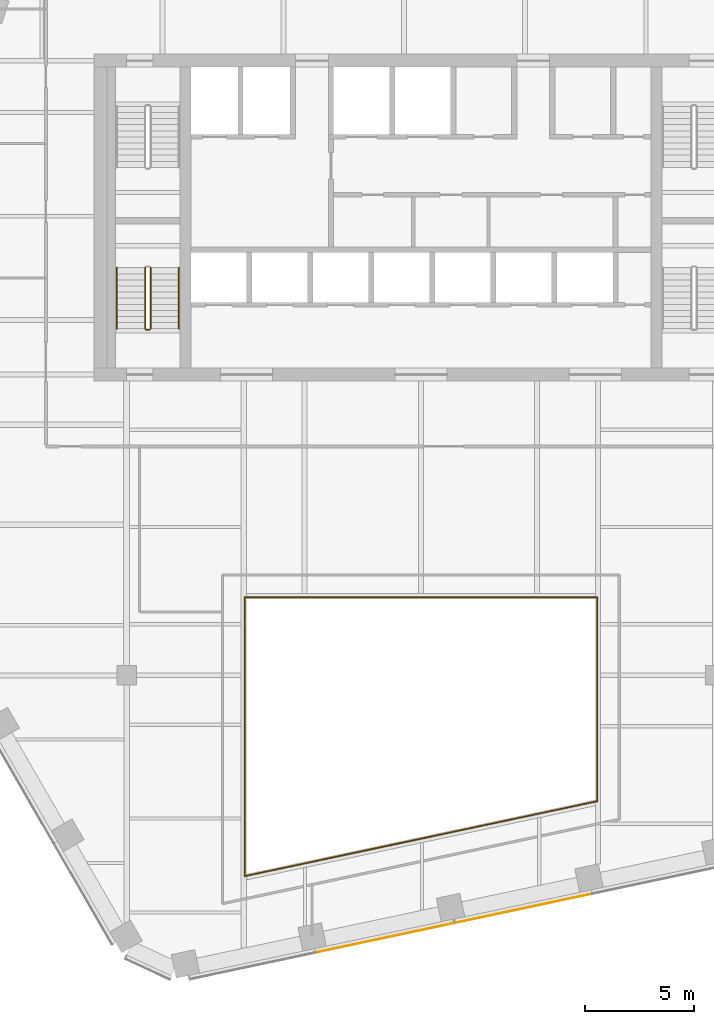
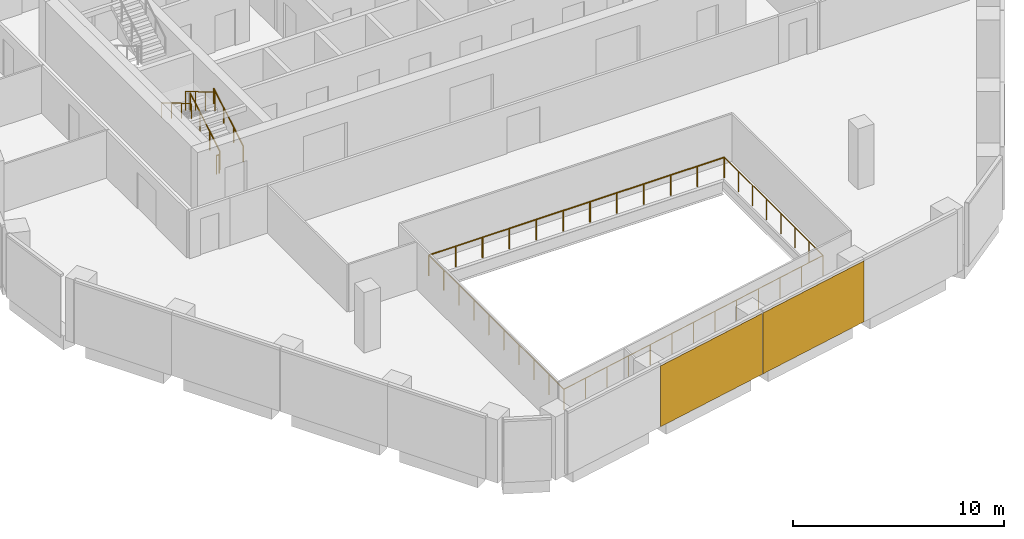
# One storey, part 12 of 15: 9 railings, 2 coverings, 1 element without a shape of its own.
"""IFC4 building model written with IfcOpenShell, lengths in metres."""

from ifc_helpers import new_model, si_unit, direction, frame, origin, origin_2d, place, context, subcontext, project, spatial, rectangle, circle, extrude, material, layer, layer_set, type_object, element, aggregate, save


model = new_model("IFC4")

# Units and contexts
model_context = context("Model", 3, precision=1e-05, world=origin(), true_north=direction((0.0, 1.0)))
body_context = subcontext(model_context, "Body", "Model", "MODEL_VIEW")
ifc_project = project(units=[si_unit("LENGTHUNIT", "METRE"), si_unit("AREAUNIT", "SQUARE_METRE"), si_unit("VOLUMEUNIT", "CUBIC_METRE"), si_unit("PLANEANGLEUNIT", "RADIAN"), si_unit("MASSUNIT", "GRAM", prefix="KILO")], contexts=[model_context])

# Site, building, storey
site_placement = place(None, origin())
site = spatial("IfcSite", under=ifc_project, at=site_placement, CompositionType="ELEMENT")
building_placement = place(site_placement, origin())
building = spatial("IfcBuilding", under=site, at=building_placement, Name="Isthmus Gate Tower", CompositionType="ELEMENT")
storey_placement = place(building_placement, frame((0.0, 0.0, 230.89990234375)))
storey = spatial("IfcBuildingStorey", under=building, at=storey_placement, Name="L58", CompositionType="ELEMENT", Elevation=230.89990234375)

# Railings
ifc_material_1 = material(Name="Laminated toughened glass balustrade with steel rail", Category="steel")
railing_type_1 = type_object("IfcRailingType", Name="ATRIUM GUARD GLASS BALUSTRADE 1200", PredefinedType="GUARDRAIL", material=ifc_material_1)
railing_1_placement = place(storey_placement, frame((-8.080078125, -22.7099609375, 0.0)))
element("IfcRailing", 1, at=railing_1_placement, inside=storey, type_object=railing_type_1, Name="L58 atrium guard", PredefinedType="GUARDRAIL", context=body_context, shape_type="SweptSolid", body=[
    extrude(circle(Radius=0.02490234375, at=origin_2d()), frame((0.0, 0.0, 1.1748046875), z_axis=(0.0, 1.0, 0.0), x_axis=(-1.0, 0.0, 0.0)), (0.0, 0.0, 1.0), 12.7900390625),
    extrude(circle(Radius=0.02490234375, at=origin_2d()), origin(), (0.0, 0.0, 1.0), 1.14990234375),
    extrude(circle(Radius=0.02490234375, at=origin_2d()), frame((0.0, 1.421142578125, 0.0)), (0.0, 0.0, 1.0), 1.14990234375),
    extrude(circle(Radius=0.02490234375, at=origin_2d()), frame((0.0, 2.84228515625, 0.0)), (0.0, 0.0, 1.0), 1.14990234375),
    extrude(circle(Radius=0.02490234375, at=origin_2d()), frame((0.0, 4.263427734375, 0.0)), (0.0, 0.0, 1.0), 1.14990234375),
    extrude(circle(Radius=0.02490234375, at=origin_2d()), frame((0.0, 5.6845703125, 0.0)), (0.0, 0.0, 1.0), 1.14990234375),
    extrude(circle(Radius=0.02490234375, at=origin_2d()), frame((0.0, 7.10546875, 0.0)), (0.0, 0.0, 1.0), 1.14990234375),
    extrude(circle(Radius=0.02490234375, at=origin_2d()), frame((0.0, 8.526611328125, 0.0)), (0.0, 0.0, 1.0), 1.14990234375),
    extrude(circle(Radius=0.02490234375, at=origin_2d()), frame((0.0, 9.94775390625, 0.0)), (0.0, 0.0, 1.0), 1.14990234375),
    extrude(circle(Radius=0.02490234375, at=origin_2d()), frame((0.0, 11.368896484375, 0.0)), (0.0, 0.0, 1.0), 1.14990234375),
    extrude(circle(Radius=0.02490234375, at=origin_2d()), frame((0.0, 12.7900390625, 0.0)), (0.0, 0.0, 1.0), 1.14990234375),
])
railing_2_placement = place(storey_placement, frame((-8.080078125, -9.919921875, 0.0)))
element("IfcRailing", 2, at=railing_2_placement, inside=storey, type_object=railing_type_1, Name="L58 atrium guard", PredefinedType="GUARDRAIL", context=body_context, shape_type="SweptSolid", body=[
    extrude(circle(Radius=0.02490234375, at=origin_2d()), frame((0.0, 0.0, 1.1748046875), z_axis=(1.0, 0.0, 0.0), x_axis=(0.0, 1.0, 0.0)), (0.0, 0.0, 1.0), 16.16015625),
    extrude(circle(Radius=0.02490234375, at=origin_2d()), origin(), (0.0, 0.0, 1.0), 1.14990234375),
    extrude(circle(Radius=0.02490234375, at=origin_2d()), frame((1.468994140625, 0.0, 0.0)), (0.0, 0.0, 1.0), 1.14990234375),
    extrude(circle(Radius=0.02490234375, at=origin_2d()), frame((2.938232421875, 0.0, 0.0)), (0.0, 0.0, 1.0), 1.14990234375),
    extrude(circle(Radius=0.02490234375, at=origin_2d()), frame((4.4072265625, 0.0, 0.0)), (0.0, 0.0, 1.0), 1.14990234375),
    extrude(circle(Radius=0.02490234375, at=origin_2d()), frame((5.87646484375, 0.0, 0.0)), (0.0, 0.0, 1.0), 1.14990234375),
    extrude(circle(Radius=0.02490234375, at=origin_2d()), frame((7.345458984375, 0.0, 0.0)), (0.0, 0.0, 1.0), 1.14990234375),
    extrude(circle(Radius=0.02490234375, at=origin_2d()), frame((8.814697265625, 0.0, 0.0)), (0.0, 0.0, 1.0), 1.14990234375),
    extrude(circle(Radius=0.02490234375, at=origin_2d()), frame((10.28369140625, 0.0, 0.0)), (0.0, 0.0, 1.0), 1.14990234375),
    extrude(circle(Radius=0.02490234375, at=origin_2d()), frame((11.7529296875, 0.0, 0.0)), (0.0, 0.0, 1.0), 1.14990234375),
    extrude(circle(Radius=0.02490234375, at=origin_2d()), frame((13.221923828125, 0.0, 0.0)), (0.0, 0.0, 1.0), 1.14990234375),
    extrude(circle(Radius=0.02490234375, at=origin_2d()), frame((14.691162109375, 0.0, 0.0)), (0.0, 0.0, 1.0), 1.14990234375),
    extrude(circle(Radius=0.02490234375, at=origin_2d()), frame((16.16015625, 0.0, 0.0)), (0.0, 0.0, 1.0), 1.14990234375),
])
railing_3_placement = place(storey_placement, frame((8.080078125, -9.919921875, 0.0)))
element("IfcRailing", 3, at=railing_3_placement, inside=storey, type_object=railing_type_1, Name="L58 atrium guard", PredefinedType="GUARDRAIL", context=body_context, shape_type="SweptSolid", body=[
    extrude(circle(Radius=0.02490234375, at=origin_2d()), frame((0.0, 0.0, 1.1748046875), z_axis=(0.0, -1.0, 0.0), x_axis=(1.0, 0.0, 0.0)), (0.0, 0.0, 1.0), 9.35498046875),
    extrude(circle(Radius=0.02490234375, at=origin_2d()), origin(), (0.0, 0.0, 1.0), 1.14990234375),
    extrude(circle(Radius=0.02490234375, at=origin_2d()), frame((0.0, -1.33642578125, 0.0)), (0.0, 0.0, 1.0), 1.14990234375),
    extrude(circle(Radius=0.02490234375, at=origin_2d()), frame((0.0, -2.6728515625, 0.0)), (0.0, 0.0, 1.0), 1.14990234375),
    extrude(circle(Radius=0.02490234375, at=origin_2d()), frame((0.0, -4.00927734375, 0.0)), (0.0, 0.0, 1.0), 1.14990234375),
    extrude(circle(Radius=0.02490234375, at=origin_2d()), frame((0.0, -5.345703125, 0.0)), (0.0, 0.0, 1.0), 1.14990234375),
    extrude(circle(Radius=0.02490234375, at=origin_2d()), frame((0.0, -6.68212890625, 0.0)), (0.0, 0.0, 1.0), 1.14990234375),
    extrude(circle(Radius=0.02490234375, at=origin_2d()), frame((0.0, -8.0185546875, 0.0)), (0.0, 0.0, 1.0), 1.14990234375),
    extrude(circle(Radius=0.02490234375, at=origin_2d()), frame((0.0, -9.35498046875, 0.0)), (0.0, 0.0, 1.0), 1.14990234375),
])
railing_4_placement = place(storey_placement, frame((8.080078125, -19.27490234375, 0.0)))
element("IfcRailing", 4, at=railing_4_placement, inside=storey, type_object=railing_type_1, Name="L58 atrium guard", PredefinedType="GUARDRAIL", context=body_context, shape_type="SweptSolid", body=[
    extrude(circle(Radius=0.02490234375, at=origin_2d()), frame((0.0, 0.0, 1.1748046875), z_axis=(-0.978146230105, -0.207918139013, 0.0), x_axis=(0.207918139013, -0.978146230105, 0.0)), (0.0, 0.0, 1.0), 16.521240234375),
    extrude(circle(Radius=0.02490234375, at=origin_2d()), origin(), (0.0, 0.0, 1.0), 1.14990234375),
    extrude(circle(Radius=0.02490234375, at=origin_2d()), frame((-1.3466796875, -0.2861328125, 0.0)), (0.0, 0.0, 1.0), 1.14990234375),
    extrude(circle(Radius=0.02490234375, at=origin_2d()), frame((-2.693359375, -0.572509765625, 0.0)), (0.0, 0.0, 1.0), 1.14990234375),
    extrude(circle(Radius=0.02490234375, at=origin_2d()), frame((-4.0400390625, -0.85888671875, 0.0)), (0.0, 0.0, 1.0), 1.14990234375),
    extrude(circle(Radius=0.02490234375, at=origin_2d()), frame((-5.38671875, -1.14501953125, 0.0)), (0.0, 0.0, 1.0), 1.14990234375),
    extrude(circle(Radius=0.02490234375, at=origin_2d()), frame((-6.7333984375, -1.43115234375, 0.0)), (0.0, 0.0, 1.0), 1.14990234375),
    extrude(circle(Radius=0.02490234375, at=origin_2d()), frame((-8.080078125, -1.717529296875, 0.0)), (0.0, 0.0, 1.0), 1.14990234375),
    extrude(circle(Radius=0.02490234375, at=origin_2d()), frame((-9.4267578125, -2.00390625, 0.0)), (0.0, 0.0, 1.0), 1.14990234375),
    extrude(circle(Radius=0.02490234375, at=origin_2d()), frame((-10.7734375, -2.2900390625, 0.0)), (0.0, 0.0, 1.0), 1.14990234375),
    extrude(circle(Radius=0.02490234375, at=origin_2d()), frame((-12.1201171875, -2.576171875, 0.0)), (0.0, 0.0, 1.0), 1.14990234375),
    extrude(circle(Radius=0.02490234375, at=origin_2d()), frame((-13.466796875, -2.862548828125, 0.0)), (0.0, 0.0, 1.0), 1.14990234375),
    extrude(circle(Radius=0.02490234375, at=origin_2d()), frame((-14.8134765625, -3.14892578125, 0.0)), (0.0, 0.0, 1.0), 1.14990234375),
    extrude(circle(Radius=0.02490234375, at=origin_2d()), frame((-16.16015625, -3.43505859375, 0.0)), (0.0, 0.0, 1.0), 1.14990234375),
])

# Curtain wall, coverings
ifc_material_2 = material(Name="Aluminium, pale champagne anodised", Category="aluminium")
ifc_layer_1 = layer(ifc_material_2, 0.199951171875)
ifc_layer_set_1 = layer_set([ifc_layer_1], Name="CW-1 UNITISED CURTAIN WALL 200 DEEP")
curtain_wall_type = type_object("IfcCurtainWallType", Name="CW-1 UNITISED CURTAIN WALL 200 DEEP", PredefinedType="NOTDEFINED", material=ifc_layer_set_1)
curtain_wall_placement = place(storey_placement, origin())
curtain_wall = element("IfcCurtainWall", 5, at=curtain_wall_placement, inside=storey, type_object=curtain_wall_type, Name="CW-1 S L58", PredefinedType="NOTDEFINED")
ifc_material_3 = material(Name="Aluminium composite panel, pale champagne anodised", Category="aluminium")
ifc_layer_2 = layer(ifc_material_3, 0.031982421875)
ifc_layer_set_2 = layer_set([ifc_layer_2], Name="CW-1 PALE METAL PANEL 32")
covering_type = type_object("IfcCoveringType", Name="CW-1 PALE METAL PANEL 32", PredefinedType="CLADDING", material=ifc_layer_set_2)
covering_1_placement = place(storey_placement, frame((-1.66259765625, -25.54150390625, 0.0), z_axis=(0.0, 0.0, 1.0), x_axis=(0.978147600734, 0.207911690818, 0.0)))
covering_1 = element("IfcCovering", 6, at=covering_1_placement, type_object=covering_type, Name="CW-1 pale metal panel", PredefinedType="CLADDING", context=body_context, shape_type="SweptSolid", body=[
    extrude(rectangle(XDim=6.491943359375, YDim=0.031982421875, at=origin_2d()), origin(), (0.0, 0.0, 1.0), 3.52001953125),
])
covering_2_placement = place(storey_placement, frame((4.716796875, -24.185546875, 0.0), z_axis=(0.0, 0.0, 1.0), x_axis=(0.978147600734, 0.207911690818, 0.0)))
covering_2 = element("IfcCovering", 7, at=covering_2_placement, type_object=covering_type, Name="CW-1 pale metal panel", PredefinedType="CLADDING", context=body_context, shape_type="SweptSolid", body=[
    extrude(rectangle(XDim=6.431884765625, YDim=0.031982421875, at=origin_2d()), origin(), (0.0, 0.0, 1.0), 3.52001953125),
])
aggregate(curtain_wall, [covering_1, covering_2])

# Railings
ifc_material_4 = material(Name="Stainless steel balustrade", Category="steel")
railing_type_2 = type_object("IfcRailingType", Name="STAIR GUARD 1100", PredefinedType="GUARDRAIL", material=ifc_material_4)
railing_5_placement = place(storey_placement, frame((-12.39990234375, 2.39990234375, 0.166015625)))
element("IfcRailing", 8, at=railing_5_placement, inside=storey, type_object=railing_type_2, Name="L58 ST7 stair guard 1", PredefinedType="GUARDRAIL", context=body_context, shape_type="SweptSolid", body=[
    extrude(circle(Radius=0.02392578125, at=origin_2d()), frame((0.0, 0.0, 1.076171875), z_axis=(0.0, 0.860306154799, 0.50977771628), x_axis=(-1.0, 0.0, 0.0)), (0.0, 0.0, 1.0), 3.254638671875),
    extrude(circle(Radius=0.02099609375, at=origin_2d()), origin(), (0.0, 0.0, 1.0), 1.052001953125),
    extrude(circle(Radius=0.02099609375, at=origin_2d()), frame((0.0, 0.933349609375, 0.552978515625)), (0.0, 0.0, 1.0), 1.052001953125),
    extrude(circle(Radius=0.02099609375, at=origin_2d()), frame((0.0, 1.86669921875, 1.106201171875)), (0.0, 0.0, 1.0), 1.052001953125),
    extrude(circle(Radius=0.02099609375, at=origin_2d()), frame((0.0, 2.800048828125, 1.6591796875)), (0.0, 0.0, 1.0), 1.052001953125),
])
railing_6_placement = place(storey_placement, frame((-12.64990234375, 5.199951171875, 1.990966796875)))
element("IfcRailing", 9, at=railing_6_placement, inside=storey, type_object=railing_type_2, Name="L58 ST7 stair guard 3", PredefinedType="GUARDRAIL", context=body_context, shape_type="SweptSolid", body=[
    extrude(circle(Radius=0.02392578125, at=origin_2d()), frame((0.0, 0.0, 1.076171875), z_axis=(0.0, -0.860306154799, 0.50977771628), x_axis=(1.0, 0.0, 0.0)), (0.0, 0.0, 1.0), 3.254638671875),
    extrude(circle(Radius=0.02099609375, at=origin_2d()), origin(), (0.0, 0.0, 1.0), 1.052001953125),
    extrude(circle(Radius=0.02099609375, at=origin_2d()), frame((0.0, -0.933349609375, 0.552978515625)), (0.0, 0.0, 1.0), 1.052001953125),
    extrude(circle(Radius=0.02099609375, at=origin_2d()), frame((0.0, -1.86669921875, 1.106201171875)), (0.0, 0.0, 1.0), 1.052001953125),
    extrude(circle(Radius=0.02099609375, at=origin_2d()), frame((0.0, -2.800048828125, 1.6591796875)), (0.0, 0.0, 1.0), 1.052001953125),
])
railing_7_placement = place(storey_placement, frame((-12.449951171875, 2.35009765625, 0.0)))
element("IfcRailing", 10, at=railing_7_placement, inside=storey, type_object=railing_type_2, Name="L58 ST7 stair guard 4", PredefinedType="GUARDRAIL", context=body_context, shape_type="SweptSolid", body=[
    extrude(circle(Radius=0.02392578125, at=origin_2d()), frame((0.0, 0.0, 1.076171875), z_axis=(-1.0, 0.0, 0.0), x_axis=(0.0, -1.0, 0.0)), (0.0, 0.0, 1.0), 0.150146484375),
    extrude(circle(Radius=0.02099609375, at=origin_2d()), origin(), (0.0, 0.0, 1.0), 1.052001953125),
    extrude(circle(Radius=0.02099609375, at=origin_2d()), frame((-0.150146484375, 0.0, 0.0)), (0.0, 0.0, 1.0), 1.052001953125),
])
ifc_material_5 = material(Name="Stainless steel handrail", Category="steel")
railing_type_3 = type_object("IfcRailingType", Name="STAIR HANDRAIL 900", PredefinedType="HANDRAIL", material=ifc_material_5)
railing_8_placement = place(storey_placement, frame((-11.10009765625, 2.39990234375, 0.166015625)))
element("IfcRailing", 11, at=railing_8_placement, inside=storey, type_object=railing_type_3, Name="L58 ST7 stair handrail 1", PredefinedType="HANDRAIL", context=body_context, shape_type="SweptSolid", body=[
    extrude(circle(Radius=0.02392578125, at=origin_2d()), frame((0.0, 0.0, 0.8759765625), z_axis=(0.0, 0.860306154799, 0.50977771628), x_axis=(-1.0, 0.0, 0.0)), (0.0, 0.0, 1.0), 3.254638671875),
    extrude(circle(Radius=0.02099609375, at=origin_2d()), origin(), (0.0, 0.0, 1.0), 0.851806640625),
    extrude(circle(Radius=0.02099609375, at=origin_2d()), frame((0.0, 0.933349609375, 0.552978515625)), (0.0, 0.0, 1.0), 0.851806640625),
    extrude(circle(Radius=0.02099609375, at=origin_2d()), frame((0.0, 1.86669921875, 1.106201171875)), (0.0, 0.0, 1.0), 0.851806640625),
    extrude(circle(Radius=0.02099609375, at=origin_2d()), frame((0.0, 2.800048828125, 1.6591796875)), (0.0, 0.0, 1.0), 0.851806640625),
])
railing_9_placement = place(storey_placement, frame((-13.949951171875, 5.199951171875, 1.990966796875)))
element("IfcRailing", 12, at=railing_9_placement, inside=storey, type_object=railing_type_3, Name="L58 ST7 stair handrail 2", PredefinedType="HANDRAIL", context=body_context, shape_type="SweptSolid", body=[
    extrude(circle(Radius=0.02392578125, at=origin_2d()), frame((0.0, 0.0, 0.8759765625), z_axis=(0.0, -0.860306154799, 0.50977771628), x_axis=(1.0, 0.0, 0.0)), (0.0, 0.0, 1.0), 3.254638671875),
    extrude(circle(Radius=0.02099609375, at=origin_2d()), origin(), (0.0, 0.0, 1.0), 0.851806640625),
    extrude(circle(Radius=0.02099609375, at=origin_2d()), frame((0.0, -0.933349609375, 0.552978515625)), (0.0, 0.0, 1.0), 0.851806640625),
    extrude(circle(Radius=0.02099609375, at=origin_2d()), frame((0.0, -1.86669921875, 1.106201171875)), (0.0, 0.0, 1.0), 0.851806640625),
    extrude(circle(Radius=0.02099609375, at=origin_2d()), frame((0.0, -2.800048828125, 1.6591796875)), (0.0, 0.0, 1.0), 0.851806640625),
])

save(model, "model.ifc")
